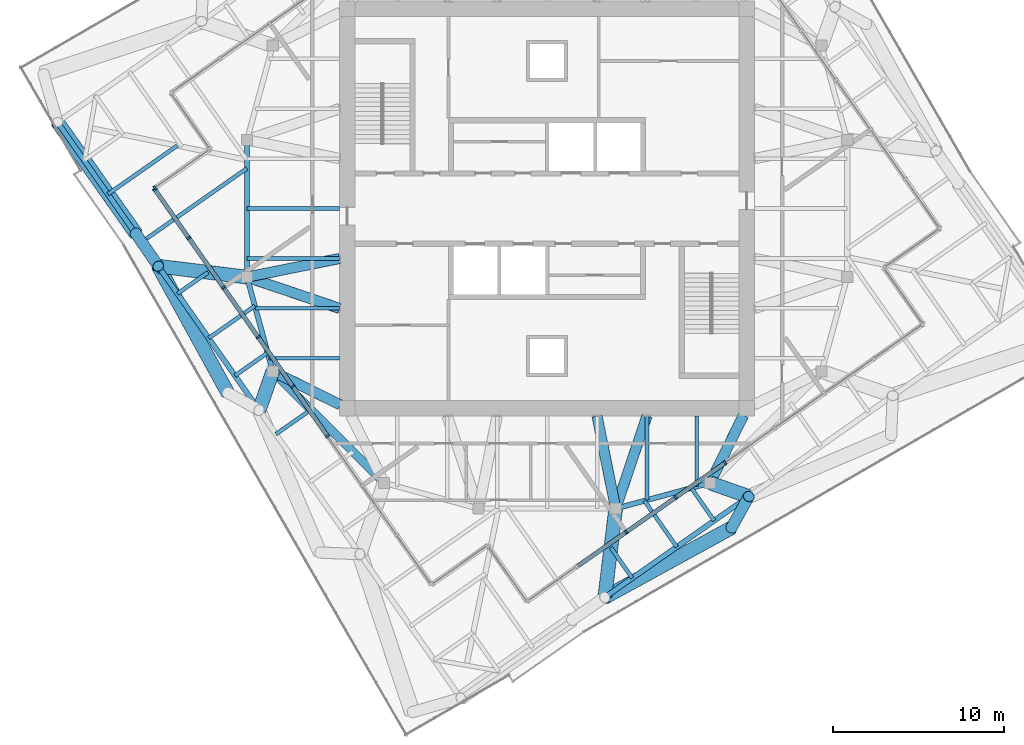
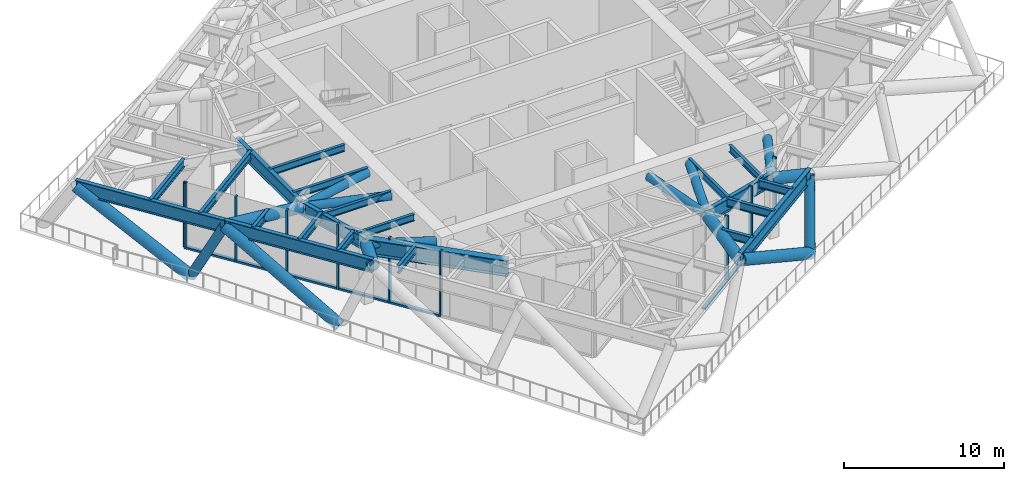
# One storey, part 2 of 16: 33 members, 22 beams, 3 elements without a shape of their own.
"""IFC4 building model written with IfcOpenShell, lengths in metres."""

from ifc_helpers import new_model, si_unit, direction, frame, origin, origin_2d, place, context, subcontext, project, spatial, rectangle, hollow_circle, i_section, extrude, material, material_profile, profile_set, type_object, element, aggregate, save


model = new_model("IFC4")

# Units and contexts
model_context = context("Model", 3, precision=1e-05, world=origin(), true_north=direction((0.0, 1.0)))
body_context = subcontext(model_context, "Body", "Model", "MODEL_VIEW")
ifc_project = project(units=[si_unit("LENGTHUNIT", "METRE"), si_unit("AREAUNIT", "SQUARE_METRE"), si_unit("VOLUMEUNIT", "CUBIC_METRE"), si_unit("PLANEANGLEUNIT", "RADIAN"), si_unit("MASSUNIT", "GRAM", prefix="KILO")], contexts=[model_context])

# Site, building, storey
site_placement = place(None, origin())
site = spatial("IfcSite", under=ifc_project, at=site_placement, CompositionType="ELEMENT")
building_placement = place(site_placement, origin())
building = spatial("IfcBuilding", under=site, at=building_placement, Name="Torsade Residences", CompositionType="ELEMENT")
storey_placement = place(building_placement, frame((0.0, 0.0, 235.39990234375)))
storey = spatial("IfcBuildingStorey", under=building, at=storey_placement, Name="L65", CompositionType="ELEMENT", Elevation=235.39990234375)

# Curtain wall, members
ifc_material_1 = material(Name="Aluminium and glass", Category="aluminium")
curtain_wall_type = type_object("IfcCurtainWallType", Name="TRANSFER LEVEL CURTAIN WALL HIGH ZONE", PredefinedType="NOTDEFINED", material=ifc_material_1)
curtain_wall_1_placement = place(storey_placement, origin())
curtain_wall_1 = element("IfcCurtainWall", 1, at=curtain_wall_1_placement, inside=storey, type_object=curtain_wall_type, Name="Curtain wall L65 face 1", PredefinedType="NOTDEFINED")
ifc_material_2 = material(Name="Aluminium mullion", Category="aluminium")
ifc_material_profile_1 = material_profile(ifc_material_2, rectangle(XDim=0.25, YDim=0.1201171875, at=origin_2d()), Name="HIGH ZONE TRANSFER CURTAIN WALL MULLION 250x120")
ifc_profile_set_1 = profile_set([ifc_material_profile_1], Name="Aluminium mullion")
member_type_1 = type_object("IfcMemberType", Name="HIGH ZONE TRANSFER CURTAIN WALL MULLION 250x120", PredefinedType="MULLION", material=ifc_profile_set_1)
member_1_placement = place(storey_placement, frame((44.606689453125, 11.129638671875, 0.0), z_axis=(0.0, 0.0, 1.0), x_axis=(-0.57357645894, 0.819152028472, 0.0)))
member_1 = element("IfcMember", 2, at=member_1_placement, type_object=member_type_1, Name="Mullion 3", PredefinedType="MULLION", context=body_context, shape_type="SweptSolid", body=[
    extrude(rectangle(XDim=0.25, YDim=0.1201171875, at=origin_2d()), origin(), (0.0, 0.0, 1.0), 5.0),
])
member_2_placement = place(storey_placement, frame((47.494140625, 13.151611328125, 0.0), z_axis=(0.0, 0.0, 1.0), x_axis=(-0.57357645894, 0.819152028472, 0.0)))
member_2 = element("IfcMember", 3, at=member_2_placement, type_object=member_type_1, Name="Mullion 4", PredefinedType="MULLION", context=body_context, shape_type="SweptSolid", body=[
    extrude(rectangle(XDim=0.25, YDim=0.1201171875, at=origin_2d()), origin(), (0.0, 0.0, 1.0), 5.0),
])
member_3_placement = place(storey_placement, frame((50.3818359375, 15.17333984375, 0.0), z_axis=(0.0, 0.0, 1.0), x_axis=(-0.57357645894, 0.819152028472, 0.0)))
member_3 = element("IfcMember", 4, at=member_3_placement, type_object=member_type_1, Name="Mullion 5", PredefinedType="MULLION", context=body_context, shape_type="SweptSolid", body=[
    extrude(rectangle(XDim=0.25, YDim=0.1201171875, at=origin_2d()), origin(), (0.0, 0.0, 1.0), 5.0),
])

# Curtain wall, member
curtain_wall_2_placement = place(storey_placement, origin())
curtain_wall_2 = element("IfcCurtainWall", 5, at=curtain_wall_2_placement, inside=storey, type_object=curtain_wall_type, Name="Curtain wall L65 face 9", PredefinedType="NOTDEFINED")
member_4_placement = place(storey_placement, frame((17.135009765625, 31.20263671875, 0.0), z_axis=(0.0, 0.0, 1.0), x_axis=(0.573576499872, -0.819151999811, 0.0)))
member_4 = element("IfcMember", 6, at=member_4_placement, type_object=member_type_1, Name="Mullion 2", PredefinedType="MULLION", context=body_context, shape_type="SweptSolid", body=[
    extrude(rectangle(XDim=0.25, YDim=0.1201171875, at=origin_2d()), origin(), (0.0, 0.0, 1.0), 5.0),
])
aggregate(curtain_wall_2, [member_4])

# Curtain wall, members
curtain_wall_3_placement = place(storey_placement, origin())
curtain_wall_3 = element("IfcCurtainWall", 7, at=curtain_wall_3_placement, inside=storey, type_object=curtain_wall_type, Name="Curtain wall L65 face 10", PredefinedType="NOTDEFINED")
member_5_placement = place(storey_placement, frame((17.120361328125, 31.119140625, 0.0), z_axis=(0.0, 0.0, 1.0), x_axis=(0.819152028472, 0.57357645894, 0.0)))
member_5 = element("IfcMember", 8, at=member_5_placement, type_object=member_type_1, Name="Mullion 1", PredefinedType="MULLION", context=body_context, shape_type="SweptSolid", body=[
    extrude(rectangle(XDim=0.25, YDim=0.1201171875, at=origin_2d()), origin(), (0.0, 0.0, 1.0), 5.0),
])
member_6_placement = place(storey_placement, frame((19.107666015625, 28.28076171875, 0.0), z_axis=(0.0, 0.0, 1.0), x_axis=(0.819152028472, 0.57357645894, 0.0)))
member_6 = element("IfcMember", 9, at=member_6_placement, type_object=member_type_1, Name="Mullion 2", PredefinedType="MULLION", context=body_context, shape_type="SweptSolid", body=[
    extrude(rectangle(XDim=0.25, YDim=0.1201171875, at=origin_2d()), origin(), (0.0, 0.0, 1.0), 5.0),
])
member_7_placement = place(storey_placement, frame((21.129638671875, 25.393310546875, 0.0), z_axis=(0.0, 0.0, 1.0), x_axis=(0.819152028472, 0.57357645894, 0.0)))
member_7 = element("IfcMember", 10, at=member_7_placement, type_object=member_type_1, Name="Mullion 3", PredefinedType="MULLION", context=body_context, shape_type="SweptSolid", body=[
    extrude(rectangle(XDim=0.25, YDim=0.1201171875, at=origin_2d()), origin(), (0.0, 0.0, 1.0), 5.0),
])
member_8_placement = place(storey_placement, frame((23.151611328125, 22.505859375, 0.0), z_axis=(0.0, 0.0, 1.0), x_axis=(0.819152028472, 0.57357645894, 0.0)))
member_8 = element("IfcMember", 11, at=member_8_placement, type_object=member_type_1, Name="Mullion 4", PredefinedType="MULLION", context=body_context, shape_type="SweptSolid", body=[
    extrude(rectangle(XDim=0.25, YDim=0.1201171875, at=origin_2d()), origin(), (0.0, 0.0, 1.0), 5.0),
])
member_9_placement = place(storey_placement, frame((25.17333984375, 19.6181640625, 0.0), z_axis=(0.0, 0.0, 1.0), x_axis=(0.819152028472, 0.57357645894, 0.0)))
member_9 = element("IfcMember", 12, at=member_9_placement, type_object=member_type_1, Name="Mullion 5", PredefinedType="MULLION", context=body_context, shape_type="SweptSolid", body=[
    extrude(rectangle(XDim=0.25, YDim=0.1201171875, at=origin_2d()), origin(), (0.0, 0.0, 1.0), 5.0),
])
member_10_placement = place(storey_placement, frame((27.1953125, 16.730712890625, 0.0), z_axis=(0.0, 0.0, 1.0), x_axis=(0.819152028472, 0.57357645894, 0.0)))
member_10 = element("IfcMember", 13, at=member_10_placement, type_object=member_type_1, Name="Mullion 6", PredefinedType="MULLION", context=body_context, shape_type="SweptSolid", body=[
    extrude(rectangle(XDim=0.25, YDim=0.1201171875, at=origin_2d()), origin(), (0.0, 0.0, 1.0), 5.0),
])

# Member
ifc_material_3 = material(Name="Aluminium transom", Category="aluminium")
ifc_material_profile_2 = material_profile(ifc_material_3, rectangle(XDim=0.25, YDim=0.139892578125, at=origin_2d()), Name="HIGH ZONE TRANSFER CURTAIN WALL TRANSOM 250x140")
ifc_profile_set_2 = profile_set([ifc_material_profile_2], Name="Aluminium transom")
member_type_2 = type_object("IfcMemberType", Name="HIGH ZONE TRANSFER CURTAIN WALL TRANSOM 250x140", PredefinedType="USERDEFINED", material=ifc_profile_set_2)
member_11_placement = place(storey_placement, frame((41.768310546875, 9.14208984375, 0.070068359375), z_axis=(0.819147702826, 0.573582636552, 0.0), x_axis=(-0.573582636552, 0.819147702826, 0.0)))
member_11 = element("IfcMember", 14, at=member_11_placement, type_object=member_type_2, Name="Transom 2.1", ObjectType="TRANSOM", PredefinedType="USERDEFINED", context=body_context, shape_type="SweptSolid", body=[
    extrude(rectangle(XDim=0.25, YDim=0.139892578125, at=origin_2d()), origin(), (0.0, 0.0, 1.0), 3.405029296875),
])

member_12_placement = place(storey_placement, frame((44.65576171875, 11.1640625, 0.070068359375), z_axis=(0.819147702826, 0.573582636552, 0.0), x_axis=(-0.573582636552, 0.819147702826, 0.0)))
member_12 = element("IfcMember", 15, at=member_12_placement, type_object=member_type_2, Name="Transom 3.1", ObjectType="TRANSOM", PredefinedType="USERDEFINED", context=body_context, shape_type="SweptSolid", body=[
    extrude(rectangle(XDim=0.25, YDim=0.139892578125, at=origin_2d()), origin(), (0.0, 0.0, 1.0), 3.405029296875),
])

member_13_placement = place(storey_placement, frame((47.54345703125, 13.185791015625, 0.070068359375), z_axis=(0.819124112374, 0.573616325192, 0.0), x_axis=(-0.573616325192, 0.819124112374, 0.0)))
member_13 = element("IfcMember", 16, at=member_13_placement, type_object=member_type_2, Name="Transom 4.1", ObjectType="TRANSOM", PredefinedType="USERDEFINED", context=body_context, shape_type="SweptSolid", body=[
    extrude(rectangle(XDim=0.25, YDim=0.139892578125, at=origin_2d()), origin(), (0.0, 0.0, 1.0), 3.405029296875),
])

aggregate(curtain_wall_1, [member_1, member_2, member_3, member_11, member_12, member_13])

member_14_placement = place(storey_placement, frame((17.15478515625, 31.070068359375, 0.070068359375), z_axis=(0.573521123265, -0.819190772146, 0.0), x_axis=(0.819190772146, 0.573521123265, 0.0)))
member_14 = element("IfcMember", 17, at=member_14_placement, type_object=member_type_2, Name="Transom 1.1", ObjectType="TRANSOM", PredefinedType="USERDEFINED", context=body_context, shape_type="SweptSolid", body=[
    extrude(rectangle(XDim=0.25, YDim=0.139892578125, at=origin_2d()), origin(), (0.0, 0.0, 1.0), 3.344970703125),
])

member_15_placement = place(storey_placement, frame((19.14208984375, 28.231689453125, 0.070068359375), z_axis=(0.573582636552, -0.819147702826, 0.0), x_axis=(0.819147702826, 0.573582636552, 0.0)))
member_15 = element("IfcMember", 18, at=member_15_placement, type_object=member_type_2, Name="Transom 2.1", ObjectType="TRANSOM", PredefinedType="USERDEFINED", context=body_context, shape_type="SweptSolid", body=[
    extrude(rectangle(XDim=0.25, YDim=0.139892578125, at=origin_2d()), origin(), (0.0, 0.0, 1.0), 3.405029296875),
])

member_16_placement = place(storey_placement, frame((21.1640625, 25.34423828125, 0.070068359375), z_axis=(0.573582636552, -0.819147702826, 0.0), x_axis=(0.819147702826, 0.573582636552, 0.0)))
member_16 = element("IfcMember", 19, at=member_16_placement, type_object=member_type_2, Name="Transom 3.1", ObjectType="TRANSOM", PredefinedType="USERDEFINED", context=body_context, shape_type="SweptSolid", body=[
    extrude(rectangle(XDim=0.25, YDim=0.139892578125, at=origin_2d()), origin(), (0.0, 0.0, 1.0), 3.405029296875),
])

member_17_placement = place(storey_placement, frame((23.185791015625, 22.45654296875, 0.070068359375), z_axis=(0.573616325192, -0.819124112374, 0.0), x_axis=(0.819124112374, 0.573616325192, 0.0)))
member_17 = element("IfcMember", 20, at=member_17_placement, type_object=member_type_2, Name="Transom 4.1", ObjectType="TRANSOM", PredefinedType="USERDEFINED", context=body_context, shape_type="SweptSolid", body=[
    extrude(rectangle(XDim=0.25, YDim=0.139892578125, at=origin_2d()), origin(), (0.0, 0.0, 1.0), 3.405029296875),
])

member_18_placement = place(storey_placement, frame((25.207763671875, 19.569091796875, 0.070068359375), z_axis=(0.573582636552, -0.819147702826, 0.0), x_axis=(0.819147702826, 0.573582636552, 0.0)))
member_18 = element("IfcMember", 21, at=member_18_placement, type_object=member_type_2, Name="Transom 5.1", ObjectType="TRANSOM", PredefinedType="USERDEFINED", context=body_context, shape_type="SweptSolid", body=[
    extrude(rectangle(XDim=0.25, YDim=0.139892578125, at=origin_2d()), origin(), (0.0, 0.0, 1.0), 3.405029296875),
])

aggregate(curtain_wall_3, [member_5, member_6, member_7, member_8, member_9, member_10, member_14, member_15, member_16, member_17, member_18])

# Beams
ifc_material_4 = material(Name="Steel grade 300", Category="steel")
ifc_material_profile_3 = material_profile(ifc_material_4, i_section(OverallWidth=0.208984375, OverallDepth=0.528076171875, WebThickness=0.009521484375, FlangeThickness=0.01318359375, FilletRadius=0.013916015625, at=origin_2d()), Name="530UB82.0")
ifc_profile_set_3 = profile_set([ifc_material_profile_3], Name="Steel grade 300")
beam_type_1 = type_object("IfcBeamType", Name="INNER FLOOR BEAM 530UB82.0", PredefinedType="JOIST", material=ifc_profile_set_3)
beam_1_placement = place(storey_placement, frame((48.737548828125, 17.89990234375, 4.586181640625), z_axis=(0.0, -1.0, 0.0), x_axis=(1.0, 0.0, 0.0)))
element("IfcBeam", 22, at=beam_1_placement, inside=storey, type_object=beam_type_1, Name="Inner floor beam IS01 L66", PredefinedType="JOIST", context=body_context, shape_type="SweptSolid", body=[
    extrude(i_section(OverallWidth=0.208984375, OverallDepth=0.528076171875, WebThickness=0.009521484375, FlangeThickness=0.01318359375, FilletRadius=0.013916015625, at=origin_2d()), origin(), (0.0, 0.0, 1.0), 4.10791015625),
])
beam_2_placement = place(storey_placement, frame((45.824951171875, 17.89990234375, 4.586181640625), z_axis=(0.0, -1.0, 0.0), x_axis=(1.0, 0.0, 0.0)))
element("IfcBeam", 23, at=beam_2_placement, inside=storey, type_object=beam_type_1, Name="Inner floor beam IS02 L66", PredefinedType="JOIST", context=body_context, shape_type="SweptSolid", body=[
    extrude(i_section(OverallWidth=0.208984375, OverallDepth=0.528076171875, WebThickness=0.009521484375, FlangeThickness=0.01318359375, FilletRadius=0.013916015625, at=origin_2d()), origin(), (0.0, 0.0, 1.0), 4.902099609375),
])
for number, where, z_axis, x_axis, name in (
    (24, (27.89990234375, 30.0, 4.586181640625), (-1.0, 0.0, 0.0), (0.0, -1.0, 0.0), "Inner floor beam IW04 L66"),
    (25, (27.89990234375, 27.08740234375, 4.586181640625), (-1.0, 0.0, 0.0), (0.0, -1.0, 0.0), "Inner floor beam IW05 L66"),
):
    element("IfcBeam", number, at=place(storey_placement, frame(where, z_axis=z_axis, x_axis=x_axis)), inside=storey, type_object=beam_type_1, Name=name, PredefinedType="JOIST", context=body_context, shape_type="SweptSolid", body=[
        extrude(i_section(OverallWidth=0.208984375, OverallDepth=0.528076171875, WebThickness=0.009521484375, FlangeThickness=0.01318359375, FilletRadius=0.013916015625, at=origin_2d()), origin(), (0.0, 0.0, 1.0), 5.39990234375),
    ])
beam_3_placement = place(storey_placement, frame((27.89990234375, 24.175048828125, 4.586181640625), z_axis=(-1.0, 0.0, 0.0), x_axis=(0.0, -1.0, 0.0)))
element("IfcBeam", 26, at=beam_3_placement, inside=storey, type_object=beam_type_1, Name="Inner floor beam IW06 L66", PredefinedType="JOIST", context=body_context, shape_type="SweptSolid", body=[
    extrude(i_section(OverallWidth=0.208984375, OverallDepth=0.528076171875, WebThickness=0.009521484375, FlangeThickness=0.01318359375, FilletRadius=0.013916015625, at=origin_2d()), origin(), (0.0, 0.0, 1.0), 4.902099609375),
])
beam_4_placement = place(storey_placement, frame((27.89990234375, 21.262451171875, 4.586181640625), z_axis=(-1.0, 0.0, 0.0), x_axis=(0.0, -1.0, 0.0)))
element("IfcBeam", 27, at=beam_4_placement, inside=storey, type_object=beam_type_1, Name="Inner floor beam IW07 L66", PredefinedType="JOIST", context=body_context, shape_type="SweptSolid", body=[
    extrude(i_section(OverallWidth=0.208984375, OverallDepth=0.528076171875, WebThickness=0.009521484375, FlangeThickness=0.01318359375, FilletRadius=0.013916015625, at=origin_2d()), origin(), (0.0, 0.0, 1.0), 4.10791015625),
])
ifc_material_5 = material(Name="Steel grade 300", Category="steel")
ifc_material_profile_4 = material_profile(ifc_material_5, i_section(OverallWidth=0.5, OverallDepth=1.199951171875, WebThickness=0.01611328125, FlangeThickness=0.0400390625, at=origin_2d()), Name="1200WB455")
ifc_profile_set_4 = profile_set([ifc_material_profile_4], Name="Steel grade 300")
beam_type_2 = type_object("IfcBeamType", Name="RING CORNER GIRDER 1200WB455", PredefinedType="BEAM", material=ifc_profile_set_4)
beam_5_placement = place(storey_placement, frame((24.0, 20.5, 4.25), z_axis=(0.707106781187, -0.707106781187, 0.0), x_axis=(0.707106781187, 0.707106781187, 0.0)))
element("IfcBeam", 28, at=beam_5_placement, inside=storey, type_object=beam_type_2, Name="Ring girder IR11 L66", PredefinedType="BEAM", context=body_context, shape_type="SweptSolid", body=[
    extrude(i_section(OverallWidth=0.5, OverallDepth=1.199951171875, WebThickness=0.01611328125, FlangeThickness=0.0400390625, at=origin_2d()), origin(), (0.0, 0.0, 1.0), 9.1923828125),
])
ifc_material_6 = material(Name="Steel grade 300", Category="steel")
ifc_material_profile_5 = material_profile(ifc_material_6, i_section(OverallWidth=0.300048828125, OverallDepth=1.0, WebThickness=0.01611328125, FlangeThickness=0.028076171875, at=origin_2d()), Name="1000WB215")
ifc_profile_set_5 = profile_set([ifc_material_profile_5], Name="Steel grade 300")
beam_type_3 = type_object("IfcBeamType", Name="RING GIRDER 1000WB215", PredefinedType="BEAM", material=ifc_profile_set_5)
beam_6_placement = place(storey_placement, frame((22.5, 34.0, 4.35009765625), z_axis=(0.0, -1.0, 0.0), x_axis=(1.0, 0.0, 0.0)))
element("IfcBeam", 29, at=beam_6_placement, inside=storey, type_object=beam_type_3, Name="Ring girder IR09 L66", PredefinedType="BEAM", context=body_context, shape_type="SweptSolid", body=[
    extrude(i_section(OverallWidth=0.300048828125, OverallDepth=1.0, WebThickness=0.01611328125, FlangeThickness=0.028076171875, at=origin_2d()), origin(), (0.0, 0.0, 1.0), 8.0),
])
for number, where, z_axis, x_axis, name in (
    (30, (22.5, 26.0, 4.35009765625), (0.263117405792, -0.964763821238, 0.0), (0.964763821238, 0.263117405792, 0.0), "Ring girder IR10 L66"),
    (31, (44.0, 12.5, 4.35009765625), (0.964763821238, 0.263117405792, 0.0), (-0.263117405792, 0.964763821238, 0.0), "Ring girder IR14 L66"),
):
    element("IfcBeam", number, at=place(storey_placement, frame(where, z_axis=z_axis, x_axis=x_axis)), inside=storey, type_object=beam_type_3, Name=name, PredefinedType="BEAM", context=body_context, shape_type="SweptSolid", body=[
        extrude(i_section(OverallWidth=0.300048828125, OverallDepth=1.0, WebThickness=0.01611328125, FlangeThickness=0.028076171875, at=origin_2d()), origin(), (0.0, 0.0, 1.0), 5.700927734375),
    ])
ifc_material_7 = material(Name="Steel grade 300", Category="steel")
ifc_material_profile_6 = material_profile(ifc_material_7, i_section(OverallWidth=0.22900390625, OverallDepth=0.612060546875, WebThickness=0.011962890625, FlangeThickness=0.01953125, FilletRadius=0.013916015625, at=origin_2d()), Name="610UB125")
ifc_profile_set_6 = profile_set([ifc_material_profile_6], Name="Steel grade 300")
beam_type_4 = type_object("IfcBeamType", Name="SECONDARY BEAM 610UB125", PredefinedType="JOIST", material=ifc_profile_set_6)
beam_7_placement = place(storey_placement, frame((44.966064453125, 8.451416015625, 4.544189453125), z_axis=(-0.573515142828, 0.819194959058, 0.0), x_axis=(-0.819194959058, -0.573515142828, 0.0)))
element("IfcBeam", 32, at=beam_7_placement, inside=storey, type_object=beam_type_4, Name="Floor beam FS04 L66", PredefinedType="JOIST", context=body_context, shape_type="SweptSolid", body=[
    extrude(i_section(OverallWidth=0.22900390625, OverallDepth=0.612060546875, WebThickness=0.011962890625, FlangeThickness=0.01953125, FilletRadius=0.013916015625, at=origin_2d()), origin(), (0.0, 0.0, 1.0), 2.17236328125),
])
beam_8_placement = place(storey_placement, frame((47.56005859375, 10.267822265625, 4.544189453125), z_axis=(-0.573552173902, 0.819169032504, 0.0), x_axis=(-0.819169032504, -0.573552173902, 0.0)))
element("IfcBeam", 33, at=beam_8_placement, inside=storey, type_object=beam_type_4, Name="Floor beam FS05 L66", PredefinedType="JOIST", context=body_context, shape_type="SweptSolid", body=[
    extrude(i_section(OverallWidth=0.22900390625, OverallDepth=0.612060546875, WebThickness=0.011962890625, FlangeThickness=0.01953125, FilletRadius=0.013916015625, at=origin_2d()), origin(), (0.0, 0.0, 1.0), 3.283203125),
])
beam_9_placement = place(storey_placement, frame((49.74462890625, 11.79736328125, 4.544189453125), z_axis=(-0.573567996949, 0.819157953557, 0.0), x_axis=(-0.819157953557, -0.573567996949, 0.0)))
element("IfcBeam", 34, at=beam_9_placement, inside=storey, type_object=beam_type_4, Name="Floor beam FS06 L66", PredefinedType="JOIST", context=body_context, shape_type="SweptSolid", body=[
    extrude(i_section(OverallWidth=0.22900390625, OverallDepth=0.612060546875, WebThickness=0.011962890625, FlangeThickness=0.01953125, FilletRadius=0.013916015625, at=origin_2d()), origin(), (0.0, 0.0, 1.0), 2.326171875),
])
beam_10_placement = place(storey_placement, frame((14.388671875, 30.836181640625, 4.544189453125), z_axis=(0.819152843027, 0.573575295634, 0.0), x_axis=(-0.573575295634, 0.819152843027, 0.0)))
element("IfcBeam", 35, at=beam_10_placement, inside=storey, type_object=beam_type_4, Name="Floor beam FW02 L66", PredefinedType="JOIST", context=body_context, shape_type="SweptSolid", body=[
    extrude(i_section(OverallWidth=0.22900390625, OverallDepth=0.612060546875, WebThickness=0.011962890625, FlangeThickness=0.01953125, FilletRadius=0.013916015625, at=origin_2d()), origin(), (0.0, 0.0, 1.0), 4.931884765625),
])
beam_11_placement = place(storey_placement, frame((16.348388671875, 28.037353515625, 4.544189453125), z_axis=(0.819154019917, 0.573573614851, 0.0), x_axis=(-0.573573614851, 0.819154019917, 0.0)))
element("IfcBeam", 36, at=beam_11_placement, inside=storey, type_object=beam_type_4, Name="Floor beam FW03 L66", PredefinedType="JOIST", context=body_context, shape_type="SweptSolid", body=[
    extrude(i_section(OverallWidth=0.22900390625, OverallDepth=0.612060546875, WebThickness=0.011962890625, FlangeThickness=0.01953125, FilletRadius=0.013916015625, at=origin_2d()), origin(), (0.0, 0.0, 1.0), 7.509765625),
])
beam_12_placement = place(storey_placement, frame((18.451416015625, 25.033935546875, 4.544189453125), z_axis=(0.819194959058, 0.573515142828, 0.0), x_axis=(-0.573515142828, 0.819194959058, 0.0)))
element("IfcBeam", 37, at=beam_12_placement, inside=storey, type_object=beam_type_4, Name="Floor beam FW04 L66", PredefinedType="JOIST", context=body_context, shape_type="SweptSolid", body=[
    extrude(i_section(OverallWidth=0.22900390625, OverallDepth=0.612060546875, WebThickness=0.011962890625, FlangeThickness=0.01953125, FilletRadius=0.013916015625, at=origin_2d()), origin(), (0.0, 0.0, 1.0), 2.17236328125),
])
beam_13_placement = place(storey_placement, frame((20.267822265625, 22.43994140625, 4.544189453125), z_axis=(0.819169032504, 0.573552173902, 0.0), x_axis=(-0.573552173902, 0.819169032504, 0.0)))
element("IfcBeam", 38, at=beam_13_placement, inside=storey, type_object=beam_type_4, Name="Floor beam FW05 L66", PredefinedType="JOIST", context=body_context, shape_type="SweptSolid", body=[
    extrude(i_section(OverallWidth=0.22900390625, OverallDepth=0.612060546875, WebThickness=0.011962890625, FlangeThickness=0.01953125, FilletRadius=0.013916015625, at=origin_2d()), origin(), (0.0, 0.0, 1.0), 3.283203125),
])
beam_14_placement = place(storey_placement, frame((21.79736328125, 20.25537109375, 4.544189453125), z_axis=(0.819157953557, 0.573567996949, 0.0), x_axis=(-0.573567996949, 0.819157953557, 0.0)))
element("IfcBeam", 39, at=beam_14_placement, inside=storey, type_object=beam_type_4, Name="Floor beam FW06 L66", PredefinedType="JOIST", context=body_context, shape_type="SweptSolid", body=[
    extrude(i_section(OverallWidth=0.22900390625, OverallDepth=0.612060546875, WebThickness=0.011962890625, FlangeThickness=0.01953125, FilletRadius=0.013916015625, at=origin_2d()), origin(), (0.0, 0.0, 1.0), 2.326171875),
])
beam_15_placement = place(storey_placement, frame((24.187255859375, 16.84228515625, 4.544189453125), z_axis=(0.819172078752, 0.573547823109, 0.0), x_axis=(-0.573547823109, 0.819172078752, 0.0)))
element("IfcBeam", 40, at=beam_15_placement, inside=storey, type_object=beam_type_4, Name="Floor beam FW07 L66", PredefinedType="JOIST", context=body_context, shape_type="SweptSolid", body=[
    extrude(i_section(OverallWidth=0.22900390625, OverallDepth=0.612060546875, WebThickness=0.011962890625, FlangeThickness=0.01953125, FilletRadius=0.013916015625, at=origin_2d()), origin(), (0.0, 0.0, 1.0), 2.491943359375),
])

# Members
ifc_material_8 = material(Name="Steel grade 450", Category="steel")
ifc_material_profile_7 = material_profile(ifc_material_8, hollow_circle(Radius=0.304931640625, WallThickness=0.01611328125, at=origin_2d()), Name="610.0x16.0CHS")
ifc_profile_set_7 = profile_set([ifc_material_profile_7], Name="Steel grade 450")
member_type_3 = type_object("IfcMemberType", Name="TRANSFER FLOOR BRACE 610.0x16.0CHS", PredefinedType="BRACE", material=ifc_profile_set_7)
member_19_placement = place(storey_placement, frame((22.5, 26.0, 4.35009765625), z_axis=(0.980201418973, 0.197387517864, 0.015599552377), x_axis=(-0.197411538983, 0.980320704809, 0.0)))
element("IfcMember", 41, at=member_19_placement, inside=storey, type_object=member_type_3, Name="Transfer floor brace TT7 top IR10IW05", PredefinedType="BRACE", context=body_context, shape_type="SweptSolid", body=[
    extrude(hollow_circle(Radius=0.304931640625, WallThickness=0.01611328125, at=origin_2d()), origin(), (0.0, 0.0, 1.0), 5.509033203125),
])
member_20_placement = place(storey_placement, frame((22.5, 26.0, 4.35009765625), z_axis=(0.947252495944, -0.320133484365, 0.01507518214), x_axis=(0.320169867513, 0.947360151124, 0.0)))
element("IfcMember", 42, at=member_20_placement, inside=storey, type_object=member_type_3, Name="Transfer floor brace TT7 top IR10IW06", PredefinedType="BRACE", context=body_context, shape_type="SweptSolid", body=[
    extrude(hollow_circle(Radius=0.304931640625, WallThickness=0.01611328125, at=origin_2d()), origin(), (0.0, 0.0, 1.0), 5.70068359375),
])
member_21_placement = place(storey_placement, frame((24.0, 20.5, 4.35009765625), z_axis=(0.896469701914, -0.443105036702, 0.0), x_axis=(0.443105036702, 0.896469701914, 0.0)))
element("IfcMember", 43, at=member_21_placement, inside=storey, type_object=member_type_3, Name="Transfer floor brace TT7 top IR11C", PredefinedType="BRACE", context=body_context, shape_type="SweptSolid", body=[
    extrude(hollow_circle(Radius=0.304931640625, WallThickness=0.01611328125, at=origin_2d()), origin(), (0.0, 0.0, 1.0), 4.40234375),
])
member_22_placement = place(storey_placement, frame((44.0, 12.5, 4.35009765625), z_axis=(-0.197387517864, 0.980201418973, 0.015599552377), x_axis=(-0.980320704809, -0.197411538983, 0.0)))
element("IfcMember", 44, at=member_22_placement, inside=storey, type_object=member_type_3, Name="Transfer floor brace TT7 top IR14IS03", PredefinedType="BRACE", context=body_context, shape_type="SweptSolid", body=[
    extrude(hollow_circle(Radius=0.304931640625, WallThickness=0.01611328125, at=origin_2d()), origin(), (0.0, 0.0, 1.0), 5.509033203125),
])
member_23_placement = place(storey_placement, frame((44.0, 12.5, 4.35009765625), z_axis=(0.320133484365, 0.947252495944, 0.01507518214), x_axis=(-0.947360151124, 0.320169867513, 0.0)))
element("IfcMember", 45, at=member_23_placement, inside=storey, type_object=member_type_3, Name="Transfer floor brace TT7 top IR14IS02", PredefinedType="BRACE", context=body_context, shape_type="SweptSolid", body=[
    extrude(hollow_circle(Radius=0.304931640625, WallThickness=0.01611328125, at=origin_2d()), origin(), (0.0, 0.0, 1.0), 5.70068359375),
])
member_24_placement = place(storey_placement, frame((49.5, 14.0, 4.35009765625), z_axis=(0.443105036702, 0.896469701914, 0.0), x_axis=(-0.896469701914, 0.443105036702, 0.0)))
element("IfcMember", 46, at=member_24_placement, inside=storey, type_object=member_type_3, Name="Transfer floor brace TT7 top IR15C", PredefinedType="BRACE", context=body_context, shape_type="SweptSolid", body=[
    extrude(hollow_circle(Radius=0.304931640625, WallThickness=0.01611328125, at=origin_2d()), origin(), (0.0, 0.0, 1.0), 4.40234375),
])
ifc_material_9 = material(Name="Steel grade 450", Category="steel")
ifc_material_profile_8 = material_profile(ifc_material_9, hollow_circle(Radius=0.406494140625, WallThickness=0.02490234375, at=origin_2d()), Name="813.0x25.0CHS")
ifc_profile_set_8 = profile_set([ifc_material_profile_8], Name="Steel grade 450")
member_type_4 = type_object("IfcMemberType", Name="TRANSFER FLOOR STRUT 813.0x25.0CHS", PredefinedType="STRUT", material=ifc_profile_set_8)
member_25_placement = place(storey_placement, frame((43.362060546875, 7.328125, 4.35009765625), z_axis=(0.122420034342, 0.992478380214, 0.0), x_axis=(-0.992478380214, 0.122420034342, 0.0)))
element("IfcMember", 47, at=member_25_placement, inside=storey, type_object=member_type_4, Name="Transfer floor strut TT7 top 02IR14", PredefinedType="STRUT", context=body_context, shape_type="SweptSolid", body=[
    extrude(hollow_circle(Radius=0.406494140625, WallThickness=0.02490234375, at=origin_2d()), origin(), (0.0, 0.0, 1.0), 5.211181640625),
])
member_26_placement = place(storey_placement, frame((51.75830078125, 13.207275390625, 4.35009765625), z_axis=(-0.943555805599, 0.331213589274, 0.0), x_axis=(-0.331213589274, -0.943555805599, 0.0)))
element("IfcMember", 48, at=member_26_placement, inside=storey, type_object=member_type_4, Name="Transfer floor strut TT7 top 03IR15", PredefinedType="STRUT", context=body_context, shape_type="SweptSolid", body=[
    extrude(hollow_circle(Radius=0.406494140625, WallThickness=0.02490234375, at=origin_2d()), origin(), (0.0, 0.0, 1.0), 2.393310546875),
])
member_27_placement = place(storey_placement, frame((17.328125, 26.637939453125, 4.35009765625), z_axis=(0.992478380214, -0.122420034342, 0.0), x_axis=(0.122420034342, 0.992478380214, 0.0)))
element("IfcMember", 49, at=member_27_placement, inside=storey, type_object=member_type_4, Name="Transfer floor strut TT7 top 14IR10", PredefinedType="STRUT", context=body_context, shape_type="SweptSolid", body=[
    extrude(hollow_circle(Radius=0.406494140625, WallThickness=0.02490234375, at=origin_2d()), origin(), (0.0, 0.0, 1.0), 5.211181640625),
])
member_28_placement = place(storey_placement, frame((23.207275390625, 18.24169921875, 4.35009765625), z_axis=(0.331213589274, 0.943555805599, 0.0), x_axis=(-0.943555805599, 0.331213589274, 0.0)))
element("IfcMember", 50, at=member_28_placement, inside=storey, type_object=member_type_4, Name="Transfer floor strut TT7 top 15IR11", PredefinedType="STRUT", context=body_context, shape_type="SweptSolid", body=[
    extrude(hollow_circle(Radius=0.406494140625, WallThickness=0.02490234375, at=origin_2d()), origin(), (0.0, 0.0, 1.0), 2.393310546875),
])

# Beams
ifc_material_10 = material(Name="Steel grade 300", Category="steel")
ifc_material_profile_9 = material_profile(ifc_material_10, i_section(OverallWidth=0.300048828125, OverallDepth=1.0, WebThickness=0.01611328125, FlangeThickness=0.028076171875, at=origin_2d()), Name="1000WB215")
ifc_profile_set_9 = profile_set([ifc_material_profile_9], Name="Steel grade 300")
beam_type_5 = type_object("IfcBeamType", Name="TRANSFER TRUSS CHORD 1000WB215", PredefinedType="USERDEFINED", material=ifc_profile_set_9)
for number, where, z_axis, x_axis, name in (
    (51, (43.362060546875, 7.328125, 4.35009765625), (0.819150225126, 0.573579034377, 0.0), (-0.573579034377, 0.819150225126, 0.0), "Transfer truss TT7 top chord 02"),
    (52, (11.448974609375, 35.0341796875, 4.35009765625), (0.573579034377, -0.819150225126, 0.0), (0.819150225126, 0.573579034377, 0.0), "Transfer truss TT7 top chord 13"),
    (53, (17.328125, 26.637939453125, 4.35009765625), (0.573579034377, -0.819150225126, 0.0), (0.819150225126, 0.573579034377, 0.0), "Transfer truss TT7 top chord 14"),
):
    element("IfcBeam", number, at=place(storey_placement, frame(where, z_axis=z_axis, x_axis=x_axis)), inside=storey, type_object=beam_type_5, Name=name, ObjectType="TRANSFER TRUSS CHORD", PredefinedType="USERDEFINED", context=body_context, shape_type="SweptSolid", body=[
        extrude(i_section(OverallWidth=0.300048828125, OverallDepth=1.0, WebThickness=0.01611328125, FlangeThickness=0.028076171875, at=origin_2d()), origin(), (0.0, 0.0, 1.0), 10.25),
    ])

# Members
ifc_material_11 = material(Name="Steel grade 450", Category="steel")
ifc_material_profile_10 = material_profile(ifc_material_11, hollow_circle(Radius=0.406494140625, WallThickness=0.02490234375, at=origin_2d()), Name="813.0x25.0CHS")
ifc_profile_set_10 = profile_set([ifc_material_profile_10], Name="Steel grade 450")
member_type_5 = type_object("IfcMemberType", Name="TRANSFER TRUSS DIAGONAL 813.0x25.0CHS", PredefinedType="BRACE", material=ifc_profile_set_10)
member_29_placement = place(storey_placement, frame((50.75, 11.38037109375, -0.199951171875), z_axis=(-0.771482587323, -0.423154158302, 0.475137007367), x_axis=(0.48090518284, -0.876772607418, 0.0)))
element("IfcMember", 54, at=member_29_placement, inside=storey, type_object=member_type_5, Name="Transfer truss TT7 diagonal 02", PredefinedType="BRACE", context=body_context, shape_type="SweptSolid", body=[
    extrude(hollow_circle(Radius=0.406494140625, WallThickness=0.02490234375, at=origin_2d()), origin(), (0.0, 0.0, 1.0), 9.576171875),
])
member_30_placement = place(storey_placement, frame((16.00537109375, 28.559814453125, -0.199951171875), z_axis=(-0.498985243044, 0.709028005159, 0.498290091336), x_axis=(-0.817784917216, -0.575523960556, 0.0)))
element("IfcMember", 55, at=member_30_placement, inside=storey, type_object=member_type_5, Name="Transfer truss TT7 diagonal 13", PredefinedType="BRACE", context=body_context, shape_type="SweptSolid", body=[
    extrude(hollow_circle(Radius=0.406494140625, WallThickness=0.02490234375, at=origin_2d()), origin(), (0.0, 0.0, 1.0), 9.13134765625),
])
member_31_placement = place(storey_placement, frame((21.38037109375, 19.25, -0.199951171875), z_axis=(-0.423154158302, 0.771482587323, 0.475137007367), x_axis=(-0.876772607418, -0.48090518284, 0.0)))
element("IfcMember", 56, at=member_31_placement, inside=storey, type_object=member_type_5, Name="Transfer truss TT7 diagonal 14", PredefinedType="BRACE", context=body_context, shape_type="SweptSolid", body=[
    extrude(hollow_circle(Radius=0.406494140625, WallThickness=0.02490234375, at=origin_2d()), origin(), (0.0, 0.0, 1.0), 9.576171875),
])
ifc_material_12 = material(Name="Steel grade 450", Category="steel")
ifc_material_profile_11 = material_profile(ifc_material_12, hollow_circle(Radius=0.330078125, WallThickness=0.01806640625, at=origin_2d()), Name="660.0x18.0CHS")
ifc_profile_set_11 = profile_set([ifc_material_profile_11], Name="Steel grade 450")
member_type_6 = type_object("IfcMemberType", Name="TRANSFER TRUSS RAKING STRUT 660.0x18.0CHS", PredefinedType="STRUT", material=ifc_profile_set_11)
member_32_placement = place(storey_placement, frame((50.75, 11.38037109375, -0.199951171875), z_axis=(0.201429875817, 0.364963622455, 0.908970604262), x_axis=(-0.875506002967, 0.483207242049, 0.0)))
element("IfcMember", 57, at=member_32_placement, inside=storey, type_object=member_type_6, Name="Transfer truss TT7 raking strut 03", PredefinedType="STRUT", context=body_context, shape_type="SweptSolid", body=[
    extrude(hollow_circle(Radius=0.330078125, WallThickness=0.01806640625, at=origin_2d()), origin(), (0.0, 0.0, 1.0), 5.005615234375),
])
member_33_placement = place(storey_placement, frame((16.00537109375, 28.559814453125, -0.199951171875), z_axis=(0.258686967294, -0.375855261451, 0.889839241319), x_axis=(0.823748702835, 0.566955090442, 0.0)))
element("IfcMember", 58, at=member_33_placement, inside=storey, type_object=member_type_6, Name="Transfer truss TT7 raking strut 14", PredefinedType="STRUT", context=body_context, shape_type="SweptSolid", body=[
    extrude(hollow_circle(Radius=0.330078125, WallThickness=0.01806640625, at=origin_2d()), origin(), (0.0, 0.0, 1.0), 5.11328125),
])

save(model, "model.ifc")
